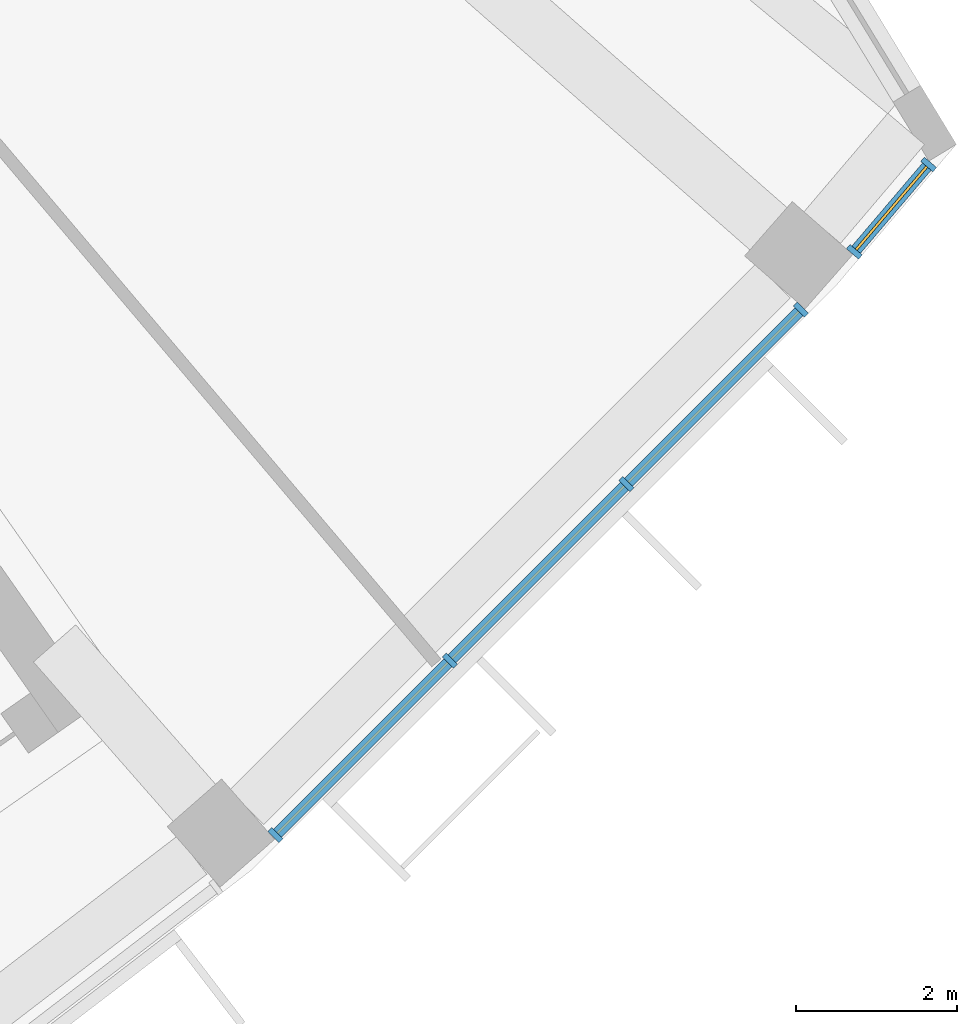
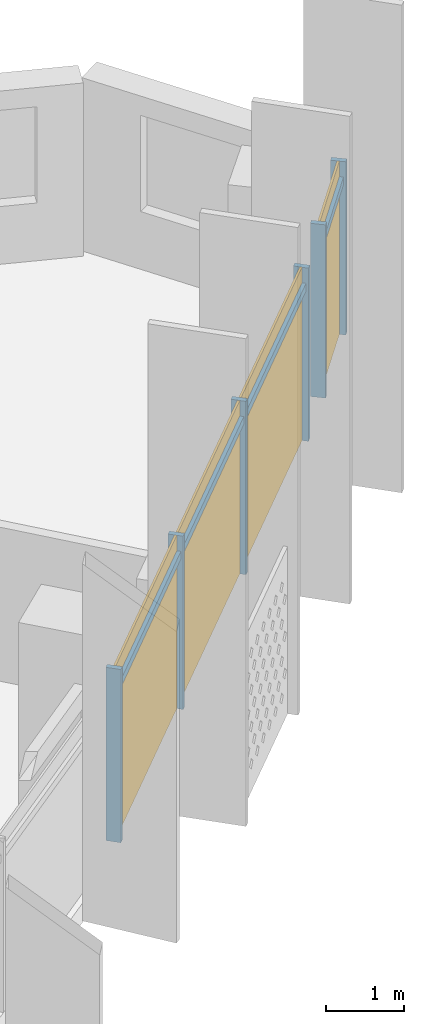
# One storey, part 22 of 28: 10 members, 2 curtain walls.
"""IFC4 building model written with IfcOpenShell, lengths in metres."""

from ifc_helpers import new_model, si_unit, direction, frame, origin, origin_2d, place, context, subcontext, project, spatial, rectangle, extrude, material, material_profile, profile_set, type_object, element, aggregate, save


model = new_model("IFC4")

# Units and contexts
model_context = context("Model", 3, precision=1e-05, world=origin(), true_north=direction((0.0, 1.0)))
body_context = subcontext(model_context, "Body", "Model", "MODEL_VIEW")
ifc_project = project(units=[si_unit("LENGTHUNIT", "METRE"), si_unit("AREAUNIT", "SQUARE_METRE"), si_unit("VOLUMEUNIT", "CUBIC_METRE"), si_unit("PLANEANGLEUNIT", "RADIAN"), si_unit("MASSUNIT", "GRAM", prefix="KILO")], contexts=[model_context])

# Member
ifc_material = material(Name="Aluminium 6063-T6 anodised", Category="aluminium")
ifc_material_profile_1 = material_profile(ifc_material, rectangle(XDim=0.199951171875, YDim=0.070068359375, at=origin_2d()))
ifc_profile_set_1 = profile_set([ifc_material_profile_1], Name="Aluminium 6063-T6 anodised")
member_type_1 = type_object("IfcMemberType", Name="Mullion 70 x 200 aluminium", PredefinedType="MULLION", material=ifc_profile_set_1)
site_placement = place(None, origin())
building_placement = place(site_placement, origin())
storey_placement = place(building_placement, frame((0.0, 0.0, 273.300048828125)))
member_1_placement = place(storey_placement, frame((51.942626953125, -58.482421875, 0.0), z_axis=(0.0, 0.0, 1.0), x_axis=(-0.707106781187, 0.707106781187, 0.0)))
member_1 = element("IfcMember", 1, at=member_1_placement, type_object=member_type_1, Name="e-cw1-L66-out13/M00", PredefinedType="MULLION", context=body_context, shape_type="SweptSolid", body=[
    extrude(rectangle(XDim=0.199951171875, YDim=0.070068359375, at=origin_2d()), origin(), (0.0, 0.0, 1.0), 2.699951171875),
])

member_2_placement = place(storey_placement, frame((54.1142578125, -56.310791015625, 0.0), z_axis=(0.0, 0.0, 1.0), x_axis=(-0.707106781187, 0.707106781187, 0.0)))
member_2 = element("IfcMember", 2, at=member_2_placement, type_object=member_type_1, Name="e-cw1-L66-out13/M01", PredefinedType="MULLION", context=body_context, shape_type="SweptSolid", body=[
    extrude(rectangle(XDim=0.199951171875, YDim=0.070068359375, at=origin_2d()), origin(), (0.0, 0.0, 1.0), 2.699951171875),
])

member_3_placement = place(storey_placement, frame((56.310791015625, -54.1142578125, 0.0), z_axis=(0.0, 0.0, 1.0), x_axis=(-0.707106781187, 0.707106781187, 0.0)))
member_3 = element("IfcMember", 3, at=member_3_placement, type_object=member_type_1, Name="e-cw1-L66-out13/M02", PredefinedType="MULLION", context=body_context, shape_type="SweptSolid", body=[
    extrude(rectangle(XDim=0.199951171875, YDim=0.070068359375, at=origin_2d()), origin(), (0.0, 0.0, 1.0), 2.699951171875),
])

member_4_placement = place(storey_placement, frame((58.482421875, -51.942626953125, 0.0), z_axis=(0.0, 0.0, 1.0), x_axis=(-0.707106781187, 0.707106781187, 0.0)))
member_4 = element("IfcMember", 4, at=member_4_placement, type_object=member_type_1, Name="e-cw1-L66-out13/M03", PredefinedType="MULLION", context=body_context, shape_type="SweptSolid", body=[
    extrude(rectangle(XDim=0.199951171875, YDim=0.070068359375, at=origin_2d()), origin(), (0.0, 0.0, 1.0), 2.699951171875),
])

member_5_placement = place(storey_placement, frame((59.14794921875, -51.2216796875, 0.0), z_axis=(0.0, 0.0, 1.0), x_axis=(-0.761569702594, 0.648083010185, 0.0)))
member_5 = element("IfcMember", 5, at=member_5_placement, type_object=member_type_1, Name="e-cw1-L66-out14/M00", PredefinedType="MULLION", context=body_context, shape_type="SweptSolid", body=[
    extrude(rectangle(XDim=0.199951171875, YDim=0.070068359375, at=origin_2d()), origin(), (0.0, 0.0, 1.0), 2.699951171875),
])

member_6_placement = place(storey_placement, frame((60.072998046875, -50.134765625, 0.0), z_axis=(0.0, 0.0, 1.0), x_axis=(-0.761569702594, 0.648083010185, 0.0)))
member_6 = element("IfcMember", 6, at=member_6_placement, type_object=member_type_1, Name="e-cw1-L66-out14/M01", PredefinedType="MULLION", context=body_context, shape_type="SweptSolid", body=[
    extrude(rectangle(XDim=0.199951171875, YDim=0.070068359375, at=origin_2d()), origin(), (0.0, 0.0, 1.0), 2.699951171875),
])

ifc_material_profile_2 = material_profile(ifc_material, rectangle(XDim=0.139892578125, YDim=0.1201171875, at=origin_2d()))
ifc_profile_set_2 = profile_set([ifc_material_profile_2], Name="Aluminium 6063-T6 anodised")
member_type_2 = type_object("IfcMemberType", Name="Transom 120 x 140 aluminium", PredefinedType="USERDEFINED", material=ifc_profile_set_2)
member_7_placement = place(storey_placement, frame((51.96728515625, -58.45751953125, 2.39990234375), z_axis=(0.707147453401, 0.707066106633, 0.0), x_axis=(-0.707066106633, 0.707147453401, 0.0)))
member_7 = element("IfcMember", 7, at=member_7_placement, type_object=member_type_2, Name="e-cw1-L66-out13/T00", ObjectType="TRANSOM", PredefinedType="USERDEFINED", context=body_context, shape_type="SweptSolid", body=[
    extrude(rectangle(XDim=0.139892578125, YDim=0.1201171875, at=origin_2d()), origin(), (0.0, 0.0, 1.0), 3.001220703125),
])

member_8_placement = place(storey_placement, frame((54.138916015625, -56.285888671875, 2.39990234375), z_axis=(0.707106781187, 0.707106781187, 0.0), x_axis=(-0.707106781187, 0.707106781187, 0.0)))
member_8 = element("IfcMember", 8, at=member_8_placement, type_object=member_type_2, Name="e-cw1-L66-out13/T01", ObjectType="TRANSOM", PredefinedType="USERDEFINED", context=body_context, shape_type="SweptSolid", body=[
    extrude(rectangle(XDim=0.139892578125, YDim=0.1201171875, at=origin_2d()), origin(), (0.0, 0.0, 1.0), 3.036376953125),
])

member_9_placement = place(storey_placement, frame((56.33544921875, -54.089599609375, 2.39990234375), z_axis=(0.707066106633, 0.707147453401, 0.0), x_axis=(-0.707147453401, 0.707066106633, 0.0)))
member_9 = element("IfcMember", 9, at=member_9_placement, type_object=member_type_2, Name="e-cw1-L66-out13/T02", ObjectType="TRANSOM", PredefinedType="USERDEFINED", context=body_context, shape_type="SweptSolid", body=[
    extrude(rectangle(XDim=0.139892578125, YDim=0.1201171875, at=origin_2d()), origin(), (0.0, 0.0, 1.0), 3.001220703125),
])

member_10_placement = place(storey_placement, frame((59.170654296875, -51.195068359375, 2.39990234375), z_axis=(0.648165243525, 0.761499715749, 0.0), x_axis=(-0.761499715749, 0.648165243525, 0.0)))
member_10 = element("IfcMember", 10, at=member_10_placement, type_object=member_type_2, Name="e-cw1-L66-out14/T00", ObjectType="TRANSOM", PredefinedType="USERDEFINED", context=body_context, shape_type="SweptSolid", body=[
    extrude(rectangle(XDim=0.139892578125, YDim=0.1201171875, at=origin_2d()), origin(), (0.0, 0.0, 1.0), 1.357177734375),
])

# Site, building, storey
site = spatial("IfcSite", under=ifc_project, at=site_placement, CompositionType="ELEMENT")
building = spatial("IfcBuilding", under=site, at=building_placement, Name="Qamariyya Broadcast Tower", CompositionType="ELEMENT")
storey = spatial("IfcBuildingStorey", under=building, at=storey_placement, Name="L66", CompositionType="ELEMENT", Elevation=273.300048828125)

# Curtain wall
curtain_wall_type = type_object("IfcCurtainWallType", Name="Unitised curtain wall, anodised aluminium", PredefinedType="NOTDEFINED", material=ifc_material)
curtain_wall_1_placement = place(storey_placement, origin())
curtain_wall_1 = element("IfcCurtainWall", 11, at=curtain_wall_1_placement, inside=storey, type_object=curtain_wall_type, Name="e-cw1-L66-out13", PredefinedType="NOTDEFINED", context=body_context, shape_type="SweptSolid", body=[
    extrude(rectangle(XDim=3.001220703125, YDim=0.031982421875, at=origin_2d()), frame((53.0283203125, -57.396484375, 0.0), x_axis=(0.707106781187, 0.707106781187, 0.0)), (0.0, 0.0, 1.0), 2.340087890625),
    extrude(rectangle(XDim=3.001220703125, YDim=0.031982421875, at=origin_2d()), frame((53.0283203125, -57.396484375, 2.4599609375), x_axis=(0.707106781187, 0.707106781187, 0.0)), (0.0, 0.0, 1.0), 0.239990234375),
    extrude(rectangle(XDim=3.0361328125, YDim=0.031982421875, at=origin_2d()), frame((55.21240234375, -55.21240234375, 0.0), x_axis=(0.707106781187, 0.707106781187, 0.0)), (0.0, 0.0, 1.0), 2.340087890625),
    extrude(rectangle(XDim=3.0361328125, YDim=0.031982421875, at=origin_2d()), frame((55.21240234375, -55.21240234375, 2.4599609375), x_axis=(0.707106781187, 0.707106781187, 0.0)), (0.0, 0.0, 1.0), 0.239990234375),
    extrude(rectangle(XDim=3.001220703125, YDim=0.031982421875, at=origin_2d()), frame((57.396484375, -53.0283203125, 0.0), x_axis=(0.707106781187, 0.707106781187, 0.0)), (0.0, 0.0, 1.0), 2.340087890625),
    extrude(rectangle(XDim=3.001220703125, YDim=0.031982421875, at=origin_2d()), frame((57.396484375, -53.0283203125, 2.4599609375), x_axis=(0.707106781187, 0.707106781187, 0.0)), (0.0, 0.0, 1.0), 0.239990234375),
])

aggregate(curtain_wall_1, [member_1, member_2, member_3, member_4, member_7, member_8, member_9])

curtain_wall_2_placement = place(storey_placement, origin())
curtain_wall_2 = element("IfcCurtainWall", 12, at=curtain_wall_2_placement, inside=storey, type_object=curtain_wall_type, Name="e-cw1-L66-out14", PredefinedType="NOTDEFINED", context=body_context, shape_type="SweptSolid", body=[
    extrude(rectangle(XDim=1.357177734375, YDim=0.031982421875, at=origin_2d()), frame((59.610595703125, -50.67822265625, 0.0), x_axis=(0.647993876274, 0.761645545061, 0.0)), (0.0, 0.0, 1.0), 2.340087890625),
    extrude(rectangle(XDim=1.357177734375, YDim=0.031982421875, at=origin_2d()), frame((59.610595703125, -50.67822265625, 2.4599609375), x_axis=(0.647993876274, 0.761645545061, 0.0)), (0.0, 0.0, 1.0), 0.239990234375),
])

aggregate(curtain_wall_2, [member_5, member_6, member_10])

save(model, "model.ifc")
